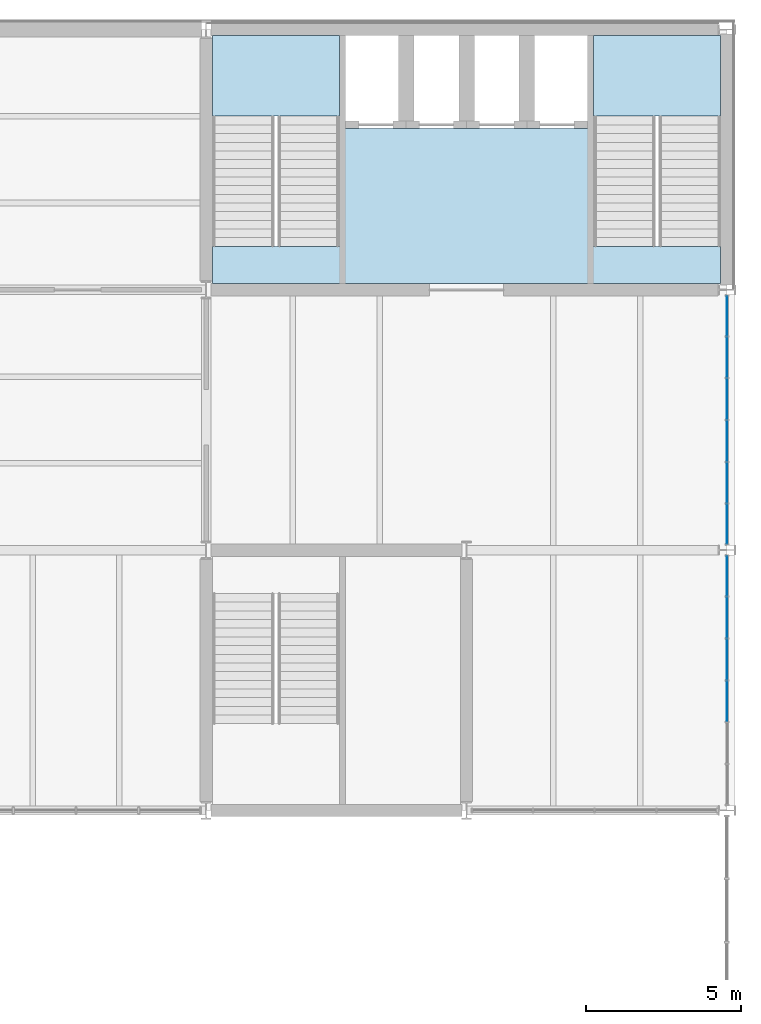
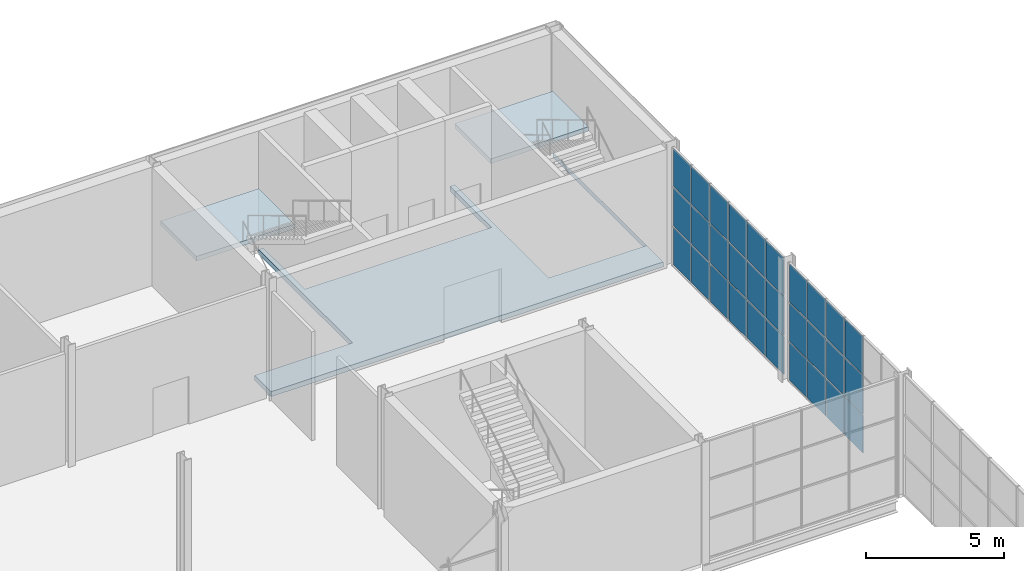
# One storey, part 38 of 64: 30 plates, 3 slabs, 4 elements without a shape of their own.
"""IFC4 building model written with IfcOpenShell, lengths in metres."""

from ifc_helpers import new_model, si_unit, direction, frame, origin, origin_2d, place, context, subcontext, project, spatial, polyline, rectangle, outline, extrude, material, layer, layer_set, type_object, element, aggregate, save


model = new_model("IFC4")

# Units and contexts
model_context = context("Model", 3, precision=1e-05, world=origin(), true_north=direction((0.0, 1.0)))
body_context = subcontext(model_context, "Body", "Model", "MODEL_VIEW")
ifc_project = project(units=[si_unit("LENGTHUNIT", "METRE"), si_unit("AREAUNIT", "SQUARE_METRE"), si_unit("VOLUMEUNIT", "CUBIC_METRE"), si_unit("PLANEANGLEUNIT", "RADIAN"), si_unit("MASSUNIT", "GRAM", prefix="KILO")], contexts=[model_context])

# Site, building, storey
site_placement = place(None, origin())
site = spatial("IfcSite", under=ifc_project, at=site_placement, CompositionType="ELEMENT")
building_placement = place(site_placement, origin())
building = spatial("IfcBuilding", under=site, at=building_placement, Name="Galleria Vessillo Department Store", CompositionType="ELEMENT")
storey_placement = place(building_placement, frame((0.0, 0.0, 6.0)))
storey = spatial("IfcBuildingStorey", under=building, at=storey_placement, Name="L01", CompositionType="ELEMENT", Elevation=6.0)

# Curtain wall, plates
ifc_material_1 = material(Name="Aluminium and glass curtain wall", Category="aluminium")
ifc_layer_1 = layer(ifc_material_1, 0.1201171875)
ifc_layer_set_1 = layer_set([ifc_layer_1], Name="Aluminium and glass curtain wall")
curtain_wall_type = type_object("IfcCurtainWallType", Name="Shopfront curtain wall CW3 1400 module", PredefinedType="NOTDEFINED", material=ifc_layer_set_1)
curtain_wall_1_placement = place(storey_placement, origin())
curtain_wall_1 = element("IfcCurtainWall", 1, at=curtain_wall_1_placement, inside=storey, type_object=curtain_wall_type, Name="Shopfront curtain wall CW3 1400 module SE-N-L01-01", PredefinedType="NOTDEFINED")
ifc_material_2 = material(Name="Glass laminated 44.2 low-e", Category="glass")
ifc_layer_2 = layer(ifc_material_2, 0.02392578125)
ifc_layer_set_2 = layer_set([ifc_layer_2], Name="Glass laminated 44.2 low-e")
plate_type_1 = type_object("IfcPlateType", Name="Laminated glass panel 24 mm", PredefinedType="CURTAIN_PANEL", material=ifc_layer_set_2)
plate_1_placement = place(storey_placement, frame((117.60009765625, 41.325439453125, 1.77490234375), z_axis=(0.0, 0.0, 1.0), x_axis=(0.0, 1.0, 0.0)))
plate_1 = element("IfcPlate", 2, at=plate_1_placement, type_object=plate_type_1, Name="CW3 panel 3.2", PredefinedType="CURTAIN_PANEL", context=body_context, shape_type="SweptSolid", body=[
    extrude(rectangle(XDim=1.299072265625, YDim=0.02392578125, at=origin_2d()), origin(), (0.0, 0.0, 1.0), 1.699951171875),
])
plate_2_placement = place(storey_placement, frame((117.60009765625, 41.325439453125, 3.52490234375), z_axis=(0.0, 0.0, 1.0), x_axis=(0.0, 1.0, 0.0)))
plate_2 = element("IfcPlate", 3, at=plate_2_placement, type_object=plate_type_1, Name="CW3 panel 3.3", PredefinedType="CURTAIN_PANEL", context=body_context, shape_type="SweptSolid", body=[
    extrude(rectangle(XDim=1.299072265625, YDim=0.02392578125, at=origin_2d()), origin(), (0.0, 0.0, 1.0), 1.675048828125),
])
plate_3_placement = place(storey_placement, frame((117.60009765625, 42.674560546875, 1.77490234375), z_axis=(0.0, 0.0, 1.0), x_axis=(0.0, 1.0, 0.0)))
plate_3 = element("IfcPlate", 4, at=plate_3_placement, type_object=plate_type_1, Name="CW3 panel 4.2", PredefinedType="CURTAIN_PANEL", context=body_context, shape_type="SweptSolid", body=[
    extrude(rectangle(XDim=1.299072265625, YDim=0.02392578125, at=origin_2d()), origin(), (0.0, 0.0, 1.0), 1.699951171875),
])
plate_4_placement = place(storey_placement, frame((117.60009765625, 42.674560546875, 3.52490234375), z_axis=(0.0, 0.0, 1.0), x_axis=(0.0, 1.0, 0.0)))
plate_4 = element("IfcPlate", 5, at=plate_4_placement, type_object=plate_type_1, Name="CW3 panel 4.3", PredefinedType="CURTAIN_PANEL", context=body_context, shape_type="SweptSolid", body=[
    extrude(rectangle(XDim=1.299072265625, YDim=0.02392578125, at=origin_2d()), origin(), (0.0, 0.0, 1.0), 1.675048828125),
])
plate_5_placement = place(storey_placement, frame((117.60009765625, 44.0234375, 1.77490234375), z_axis=(0.0, 0.0, 1.0), x_axis=(0.0, 1.0, 0.0)))
plate_5 = element("IfcPlate", 6, at=plate_5_placement, type_object=plate_type_1, Name="CW3 panel 5.2", PredefinedType="CURTAIN_PANEL", context=body_context, shape_type="SweptSolid", body=[
    extrude(rectangle(XDim=1.299072265625, YDim=0.02392578125, at=origin_2d()), origin(), (0.0, 0.0, 1.0), 1.699951171875),
])
plate_6_placement = place(storey_placement, frame((117.60009765625, 44.0234375, 3.52490234375), z_axis=(0.0, 0.0, 1.0), x_axis=(0.0, 1.0, 0.0)))
plate_6 = element("IfcPlate", 7, at=plate_6_placement, type_object=plate_type_1, Name="CW3 panel 5.3", PredefinedType="CURTAIN_PANEL", context=body_context, shape_type="SweptSolid", body=[
    extrude(rectangle(XDim=1.299072265625, YDim=0.02392578125, at=origin_2d()), origin(), (0.0, 0.0, 1.0), 1.675048828125),
])
plate_7_placement = place(storey_placement, frame((117.60009765625, 45.35986328125, 1.77490234375), z_axis=(0.0, 0.0, 1.0), x_axis=(0.0, 1.0, 0.0)))
plate_7 = element("IfcPlate", 8, at=plate_7_placement, type_object=plate_type_1, Name="CW3 panel 6.2", PredefinedType="CURTAIN_PANEL", context=body_context, shape_type="SweptSolid", body=[
    extrude(rectangle(XDim=1.27392578125, YDim=0.02392578125, at=origin_2d()), origin(), (0.0, 0.0, 1.0), 1.699951171875),
])
plate_8_placement = place(storey_placement, frame((117.60009765625, 45.35986328125, 3.52490234375), z_axis=(0.0, 0.0, 1.0), x_axis=(0.0, 1.0, 0.0)))
plate_8 = element("IfcPlate", 9, at=plate_8_placement, type_object=plate_type_1, Name="CW3 panel 6.3", PredefinedType="CURTAIN_PANEL", context=body_context, shape_type="SweptSolid", body=[
    extrude(rectangle(XDim=1.27392578125, YDim=0.02392578125, at=origin_2d()), origin(), (0.0, 0.0, 1.0), 1.675048828125),
])

curtain_wall_2_placement = place(storey_placement, origin())
curtain_wall_2 = element("IfcCurtainWall", 10, at=curtain_wall_2_placement, inside=storey, type_object=curtain_wall_type, Name="Shopfront curtain wall CW3 1400 module SE-N-L01-02", PredefinedType="NOTDEFINED")
plate_9_placement = place(storey_placement, frame((117.60009765625, 47.0400390625, 1.77490234375), z_axis=(0.0, 0.0, 1.0), x_axis=(0.0, 1.0, 0.0)))
plate_9 = element("IfcPlate", 11, at=plate_9_placement, type_object=plate_type_1, Name="CW3 panel 1.2", PredefinedType="CURTAIN_PANEL", context=body_context, shape_type="SweptSolid", body=[
    extrude(rectangle(XDim=1.27392578125, YDim=0.02392578125, at=origin_2d()), origin(), (0.0, 0.0, 1.0), 1.699951171875),
])
plate_10_placement = place(storey_placement, frame((117.60009765625, 47.0400390625, 3.52490234375), z_axis=(0.0, 0.0, 1.0), x_axis=(0.0, 1.0, 0.0)))
plate_10 = element("IfcPlate", 12, at=plate_10_placement, type_object=plate_type_1, Name="CW3 panel 1.3", PredefinedType="CURTAIN_PANEL", context=body_context, shape_type="SweptSolid", body=[
    extrude(rectangle(XDim=1.27392578125, YDim=0.02392578125, at=origin_2d()), origin(), (0.0, 0.0, 1.0), 1.675048828125),
])
plate_11_placement = place(storey_placement, frame((117.60009765625, 48.37646484375, 1.77490234375), z_axis=(0.0, 0.0, 1.0), x_axis=(0.0, 1.0, 0.0)))
plate_11 = element("IfcPlate", 13, at=plate_11_placement, type_object=plate_type_1, Name="CW3 panel 2.2", PredefinedType="CURTAIN_PANEL", context=body_context, shape_type="SweptSolid", body=[
    extrude(rectangle(XDim=1.299072265625, YDim=0.02392578125, at=origin_2d()), origin(), (0.0, 0.0, 1.0), 1.699951171875),
])
plate_12_placement = place(storey_placement, frame((117.60009765625, 48.37646484375, 3.52490234375), z_axis=(0.0, 0.0, 1.0), x_axis=(0.0, 1.0, 0.0)))
plate_12 = element("IfcPlate", 14, at=plate_12_placement, type_object=plate_type_1, Name="CW3 panel 2.3", PredefinedType="CURTAIN_PANEL", context=body_context, shape_type="SweptSolid", body=[
    extrude(rectangle(XDim=1.299072265625, YDim=0.02392578125, at=origin_2d()), origin(), (0.0, 0.0, 1.0), 1.675048828125),
])
plate_13_placement = place(storey_placement, frame((117.60009765625, 49.7255859375, 1.77490234375), z_axis=(0.0, 0.0, 1.0), x_axis=(0.0, 1.0, 0.0)))
plate_13 = element("IfcPlate", 15, at=plate_13_placement, type_object=plate_type_1, Name="CW3 panel 3.2", PredefinedType="CURTAIN_PANEL", context=body_context, shape_type="SweptSolid", body=[
    extrude(rectangle(XDim=1.299072265625, YDim=0.02392578125, at=origin_2d()), origin(), (0.0, 0.0, 1.0), 1.699951171875),
])
plate_14_placement = place(storey_placement, frame((117.60009765625, 49.7255859375, 3.52490234375), z_axis=(0.0, 0.0, 1.0), x_axis=(0.0, 1.0, 0.0)))
plate_14 = element("IfcPlate", 16, at=plate_14_placement, type_object=plate_type_1, Name="CW3 panel 3.3", PredefinedType="CURTAIN_PANEL", context=body_context, shape_type="SweptSolid", body=[
    extrude(rectangle(XDim=1.299072265625, YDim=0.02392578125, at=origin_2d()), origin(), (0.0, 0.0, 1.0), 1.675048828125),
])
plate_15_placement = place(storey_placement, frame((117.60009765625, 51.074462890625, 1.77490234375), z_axis=(0.0, 0.0, 1.0), x_axis=(0.0, 1.0, 0.0)))
plate_15 = element("IfcPlate", 17, at=plate_15_placement, type_object=plate_type_1, Name="CW3 panel 4.2", PredefinedType="CURTAIN_PANEL", context=body_context, shape_type="SweptSolid", body=[
    extrude(rectangle(XDim=1.299072265625, YDim=0.02392578125, at=origin_2d()), origin(), (0.0, 0.0, 1.0), 1.699951171875),
])
plate_16_placement = place(storey_placement, frame((117.60009765625, 51.074462890625, 3.52490234375), z_axis=(0.0, 0.0, 1.0), x_axis=(0.0, 1.0, 0.0)))
plate_16 = element("IfcPlate", 18, at=plate_16_placement, type_object=plate_type_1, Name="CW3 panel 4.3", PredefinedType="CURTAIN_PANEL", context=body_context, shape_type="SweptSolid", body=[
    extrude(rectangle(XDim=1.299072265625, YDim=0.02392578125, at=origin_2d()), origin(), (0.0, 0.0, 1.0), 1.675048828125),
])
plate_17_placement = place(storey_placement, frame((117.60009765625, 52.423583984375, 1.77490234375), z_axis=(0.0, 0.0, 1.0), x_axis=(0.0, 1.0, 0.0)))
plate_17 = element("IfcPlate", 19, at=plate_17_placement, type_object=plate_type_1, Name="CW3 panel 5.2", PredefinedType="CURTAIN_PANEL", context=body_context, shape_type="SweptSolid", body=[
    extrude(rectangle(XDim=1.299072265625, YDim=0.02392578125, at=origin_2d()), origin(), (0.0, 0.0, 1.0), 1.699951171875),
])
plate_18_placement = place(storey_placement, frame((117.60009765625, 52.423583984375, 3.52490234375), z_axis=(0.0, 0.0, 1.0), x_axis=(0.0, 1.0, 0.0)))
plate_18 = element("IfcPlate", 20, at=plate_18_placement, type_object=plate_type_1, Name="CW3 panel 5.3", PredefinedType="CURTAIN_PANEL", context=body_context, shape_type="SweptSolid", body=[
    extrude(rectangle(XDim=1.299072265625, YDim=0.02392578125, at=origin_2d()), origin(), (0.0, 0.0, 1.0), 1.675048828125),
])
plate_19_placement = place(storey_placement, frame((117.60009765625, 53.760009765625, 1.77490234375), z_axis=(0.0, 0.0, 1.0), x_axis=(0.0, 1.0, 0.0)))
plate_19 = element("IfcPlate", 21, at=plate_19_placement, type_object=plate_type_1, Name="CW3 panel 6.2", PredefinedType="CURTAIN_PANEL", context=body_context, shape_type="SweptSolid", body=[
    extrude(rectangle(XDim=1.27392578125, YDim=0.02392578125, at=origin_2d()), origin(), (0.0, 0.0, 1.0), 1.699951171875),
])
plate_20_placement = place(storey_placement, frame((117.60009765625, 53.760009765625, 3.52490234375), z_axis=(0.0, 0.0, 1.0), x_axis=(0.0, 1.0, 0.0)))
plate_20 = element("IfcPlate", 22, at=plate_20_placement, type_object=plate_type_1, Name="CW3 panel 6.3", PredefinedType="CURTAIN_PANEL", context=body_context, shape_type="SweptSolid", body=[
    extrude(rectangle(XDim=1.27392578125, YDim=0.02392578125, at=origin_2d()), origin(), (0.0, 0.0, 1.0), 1.675048828125),
])

# Slab
ifc_material_3 = material(Name="Concrete C32/40 reinforced", Category="concrete")
ifc_layer_3 = layer(ifc_material_3, 0.219970703125)
ifc_layer_set_3 = layer_set([ifc_layer_3], Name="Concrete C32/40 reinforced")
slab_type_1 = type_object("IfcSlabType", Name="Reinforced concrete core floor slab 220 mm", PredefinedType="FLOOR", material=ifc_layer_set_3)
slab_1_placement = place(storey_placement, frame((0.0, 0.0, -0.219970703125)))
element("IfcSlab", 23, at=slab_1_placement, inside=storey, type_object=slab_type_1, Name="S-SLAB-L01-CORE-TC", PredefinedType="FLOOR", context=body_context, shape_type="SweptSolid", body=[
    extrude(outline(polyline([(117.400146484375, 54.800048828125), (101.0, 54.800048828125), (101.0, 56.0), (105.10009765625, 56.0), (105.10009765625, 62.800048828125), (105.300048828125, 62.800048828125), (105.300048828125, 59.800048828125), (113.10009765625, 59.800048828125), (113.10009765625, 62.800048828125), (113.300048828125, 62.800048828125), (113.300048828125, 56.0), (117.39990234375, 56.0), (117.39990234375, 62.800048828125), (117.400146484375, 54.800048828125)])), origin(), (0.0, 0.0, 1.0), 0.219970703125),
])

# Stair, slab
ifc_material_4 = material(Name="Concrete C32/40", Category="concrete")
stair_type = type_object("IfcStairType", Name="Half-turn escape stair 2000 mm, 32 risers of 169 mm", PredefinedType="HALF_TURN_STAIR", material=ifc_material_4)
stair_1_placement = place(storey_placement, origin())
stair_1 = element("IfcStair", 24, at=stair_1_placement, inside=storey, type_object=stair_type, Name="Stair ST8 L01", PredefinedType="HALF_TURN_STAIR")
ifc_material_5 = material(Name="Concrete C32/40", Category="concrete")
ifc_layer_4 = layer(ifc_material_5, 0.199951171875)
ifc_layer_set_4 = layer_set([ifc_layer_4], Name="Concrete C32/40")
slab_type_2 = type_object("IfcSlabType", Name="Stair half landing 4100 x 2600 mm", PredefinedType="LANDING", material=ifc_layer_set_4)
slab_2_placement = place(storey_placement, frame((0.0, 0.0, 2.5)))
slab_2 = element("IfcSlab", 25, at=slab_2_placement, type_object=slab_type_2, Name="ST8 landing 1", PredefinedType="LANDING", context=body_context, shape_type="SweptSolid", body=[
    extrude(outline(polyline([(101.0, 60.199951171875), (101.0, 62.800048828125), (105.10009765625, 62.800048828125), (105.10009765625, 60.199951171875), (101.0, 60.199951171875)])), origin(), (0.0, 0.0, 1.0), 0.199951171875),
])
aggregate(stair_1, [slab_2])

stair_2_placement = place(storey_placement, origin())
stair_2 = element("IfcStair", 26, at=stair_2_placement, inside=storey, type_object=stair_type, Name="Stair ST9 L01", PredefinedType="HALF_TURN_STAIR")
slab_3_placement = place(storey_placement, frame((0.0, 0.0, 2.5)))
slab_3 = element("IfcSlab", 27, at=slab_3_placement, type_object=slab_type_2, Name="ST9 landing 1", PredefinedType="LANDING", context=body_context, shape_type="SweptSolid", body=[
    extrude(outline(polyline([(113.300048828125, 60.199951171875), (113.300048828125, 62.800048828125), (117.400146484375, 62.800048828125), (117.400146484375, 60.199951171875), (113.300048828125, 60.199951171875)])), origin(), (0.0, 0.0, 1.0), 0.199951171875),
])
aggregate(stair_2, [slab_3])

# Plate
ifc_material_6 = material(Name="Limestone spandrel on aluminium tray", Category="masonry")
ifc_layer_5 = layer(ifc_material_6, 0.02392578125)
ifc_layer_set_5 = layer_set([ifc_layer_5], Name="Limestone spandrel on aluminium tray")
plate_type_2 = type_object("IfcPlateType", Name="Stone spandrel panel 24 mm", PredefinedType="CURTAIN_PANEL", material=ifc_layer_set_5)
plate_21_placement = place(storey_placement, frame((117.60009765625, 41.325439453125, 0.0498046875), z_axis=(0.0, 0.0, 1.0), x_axis=(0.0, 1.0, 0.0)))
plate_21 = element("IfcPlate", 28, at=plate_21_placement, type_object=plate_type_2, Name="CW3 panel 3.1", PredefinedType="CURTAIN_PANEL", context=body_context, shape_type="SweptSolid", body=[
    extrude(rectangle(XDim=1.299072265625, YDim=0.02392578125, at=origin_2d()), origin(), (0.0, 0.0, 1.0), 1.675048828125),
])

plate_22_placement = place(storey_placement, frame((117.60009765625, 42.674560546875, 0.0498046875), z_axis=(0.0, 0.0, 1.0), x_axis=(0.0, 1.0, 0.0)))
plate_22 = element("IfcPlate", 29, at=plate_22_placement, type_object=plate_type_2, Name="CW3 panel 4.1", PredefinedType="CURTAIN_PANEL", context=body_context, shape_type="SweptSolid", body=[
    extrude(rectangle(XDim=1.299072265625, YDim=0.02392578125, at=origin_2d()), origin(), (0.0, 0.0, 1.0), 1.675048828125),
])

plate_23_placement = place(storey_placement, frame((117.60009765625, 44.0234375, 0.0498046875), z_axis=(0.0, 0.0, 1.0), x_axis=(0.0, 1.0, 0.0)))
plate_23 = element("IfcPlate", 30, at=plate_23_placement, type_object=plate_type_2, Name="CW3 panel 5.1", PredefinedType="CURTAIN_PANEL", context=body_context, shape_type="SweptSolid", body=[
    extrude(rectangle(XDim=1.299072265625, YDim=0.02392578125, at=origin_2d()), origin(), (0.0, 0.0, 1.0), 1.675048828125),
])

plate_24_placement = place(storey_placement, frame((117.60009765625, 45.35986328125, 0.0498046875), z_axis=(0.0, 0.0, 1.0), x_axis=(0.0, 1.0, 0.0)))
plate_24 = element("IfcPlate", 31, at=plate_24_placement, type_object=plate_type_2, Name="CW3 panel 6.1", PredefinedType="CURTAIN_PANEL", context=body_context, shape_type="SweptSolid", body=[
    extrude(rectangle(XDim=1.27392578125, YDim=0.02392578125, at=origin_2d()), origin(), (0.0, 0.0, 1.0), 1.675048828125),
])

aggregate(curtain_wall_1, [plate_21, plate_1, plate_2, plate_22, plate_3, plate_4, plate_23, plate_5, plate_6, plate_24, plate_7, plate_8])

plate_25_placement = place(storey_placement, frame((117.60009765625, 47.0400390625, 0.0498046875), z_axis=(0.0, 0.0, 1.0), x_axis=(0.0, 1.0, 0.0)))
plate_25 = element("IfcPlate", 32, at=plate_25_placement, type_object=plate_type_2, Name="CW3 panel 1.1", PredefinedType="CURTAIN_PANEL", context=body_context, shape_type="SweptSolid", body=[
    extrude(rectangle(XDim=1.27392578125, YDim=0.02392578125, at=origin_2d()), origin(), (0.0, 0.0, 1.0), 1.675048828125),
])

plate_26_placement = place(storey_placement, frame((117.60009765625, 48.37646484375, 0.0498046875), z_axis=(0.0, 0.0, 1.0), x_axis=(0.0, 1.0, 0.0)))
plate_26 = element("IfcPlate", 33, at=plate_26_placement, type_object=plate_type_2, Name="CW3 panel 2.1", PredefinedType="CURTAIN_PANEL", context=body_context, shape_type="SweptSolid", body=[
    extrude(rectangle(XDim=1.299072265625, YDim=0.02392578125, at=origin_2d()), origin(), (0.0, 0.0, 1.0), 1.675048828125),
])

plate_27_placement = place(storey_placement, frame((117.60009765625, 49.7255859375, 0.0498046875), z_axis=(0.0, 0.0, 1.0), x_axis=(0.0, 1.0, 0.0)))
plate_27 = element("IfcPlate", 34, at=plate_27_placement, type_object=plate_type_2, Name="CW3 panel 3.1", PredefinedType="CURTAIN_PANEL", context=body_context, shape_type="SweptSolid", body=[
    extrude(rectangle(XDim=1.299072265625, YDim=0.02392578125, at=origin_2d()), origin(), (0.0, 0.0, 1.0), 1.675048828125),
])

plate_28_placement = place(storey_placement, frame((117.60009765625, 51.074462890625, 0.0498046875), z_axis=(0.0, 0.0, 1.0), x_axis=(0.0, 1.0, 0.0)))
plate_28 = element("IfcPlate", 35, at=plate_28_placement, type_object=plate_type_2, Name="CW3 panel 4.1", PredefinedType="CURTAIN_PANEL", context=body_context, shape_type="SweptSolid", body=[
    extrude(rectangle(XDim=1.299072265625, YDim=0.02392578125, at=origin_2d()), origin(), (0.0, 0.0, 1.0), 1.675048828125),
])

plate_29_placement = place(storey_placement, frame((117.60009765625, 52.423583984375, 0.0498046875), z_axis=(0.0, 0.0, 1.0), x_axis=(0.0, 1.0, 0.0)))
plate_29 = element("IfcPlate", 36, at=plate_29_placement, type_object=plate_type_2, Name="CW3 panel 5.1", PredefinedType="CURTAIN_PANEL", context=body_context, shape_type="SweptSolid", body=[
    extrude(rectangle(XDim=1.299072265625, YDim=0.02392578125, at=origin_2d()), origin(), (0.0, 0.0, 1.0), 1.675048828125),
])

plate_30_placement = place(storey_placement, frame((117.60009765625, 53.760009765625, 0.0498046875), z_axis=(0.0, 0.0, 1.0), x_axis=(0.0, 1.0, 0.0)))
plate_30 = element("IfcPlate", 37, at=plate_30_placement, type_object=plate_type_2, Name="CW3 panel 6.1", PredefinedType="CURTAIN_PANEL", context=body_context, shape_type="SweptSolid", body=[
    extrude(rectangle(XDim=1.27392578125, YDim=0.02392578125, at=origin_2d()), origin(), (0.0, 0.0, 1.0), 1.675048828125),
])

aggregate(curtain_wall_2, [plate_25, plate_9, plate_10, plate_26, plate_11, plate_12, plate_27, plate_13, plate_14, plate_28, plate_15, plate_16, plate_29, plate_17, plate_18, plate_30, plate_19, plate_20])

save(model, "model.ifc")
